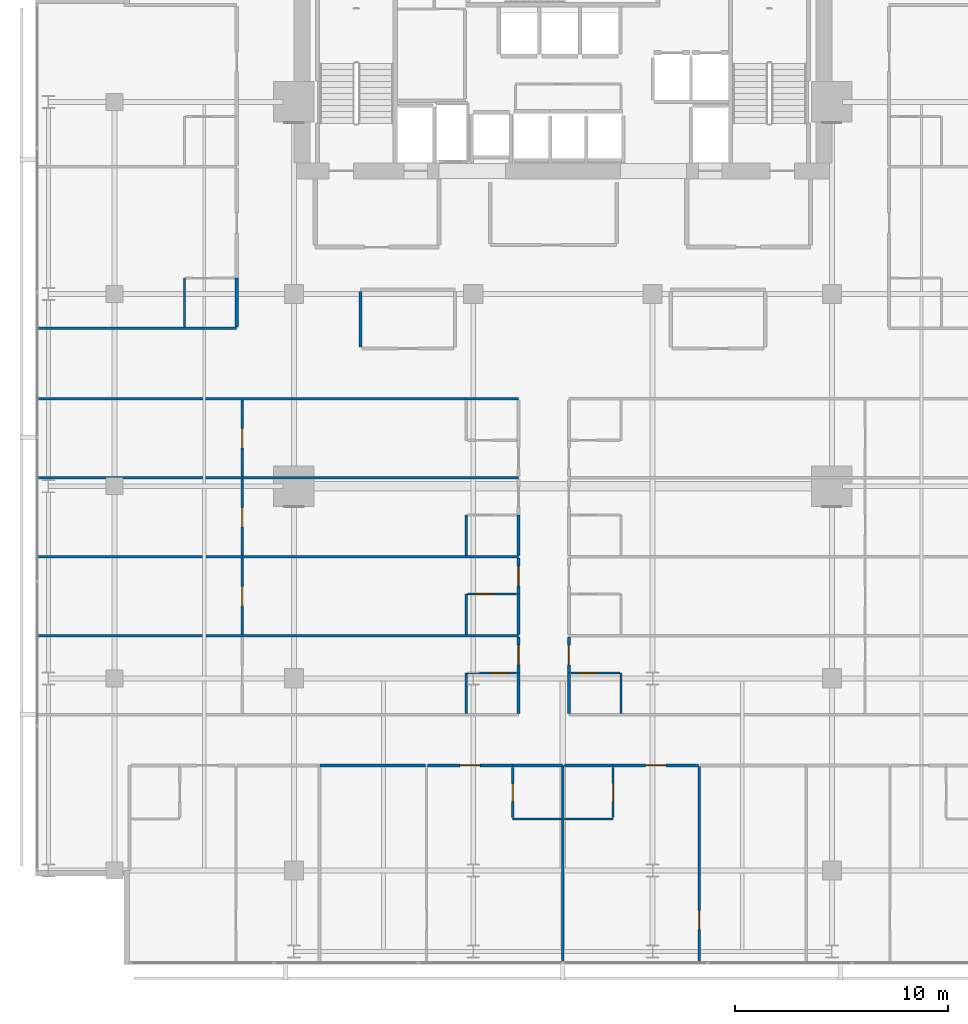
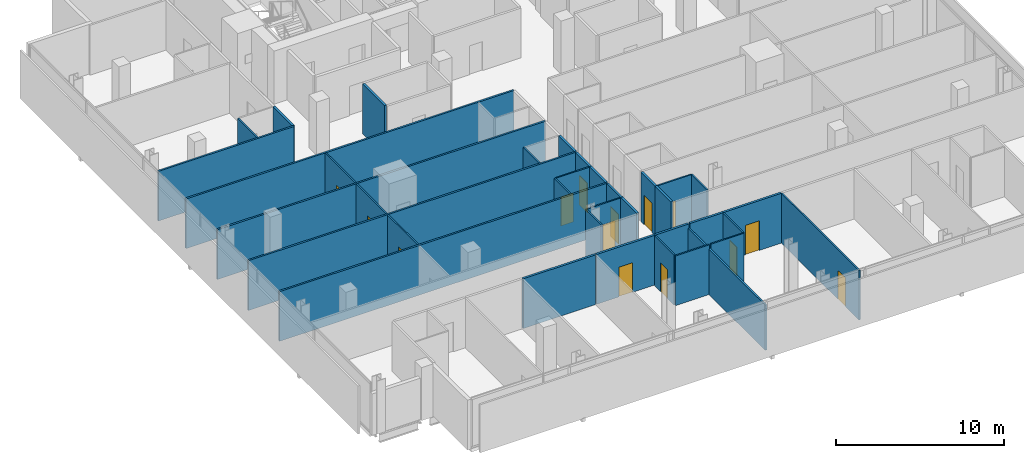
# One storey, part 27 of 34: 36 walls, 14 doors, 14 openings.
"""IFC4 building model written with IfcOpenShell, lengths in metres."""

from ifc_helpers import new_model, si_unit, direction, frame, frame_2d, origin, place, context, subcontext, project, spatial, rectangle, extrude, material, layer, layer_set, type_object, element, fill, save


model = new_model("IFC4")

# Units and contexts
model_context = context("Model", 3, precision=1e-05, world=origin(), true_north=direction((0.0, 1.0)))
body_context = subcontext(model_context, "Body", "Model", "MODEL_VIEW")
ifc_project = project(units=[si_unit("LENGTHUNIT", "METRE"), si_unit("AREAUNIT", "SQUARE_METRE"), si_unit("VOLUMEUNIT", "CUBIC_METRE"), si_unit("PLANEANGLEUNIT", "RADIAN"), si_unit("MASSUNIT", "GRAM", prefix="KILO")], contexts=[model_context])

# Site, building, storey
site_placement = place(None, origin())
site = spatial("IfcSite", under=ifc_project, at=site_placement, CompositionType="ELEMENT")
building_placement = place(site_placement, origin())
building = spatial("IfcBuilding", under=site, at=building_placement, Name="Maruvema Waterfront Hotel and Observation Tower", CompositionType="ELEMENT")
storey_placement = place(building_placement, frame((0.0, 0.0, 185.14990234375)))
storey = spatial("IfcBuildingStorey", under=building, at=storey_placement, Name="L45", CompositionType="ELEMENT", Elevation=185.14990234375)

# Walls
ifc_material_1 = material(Name="Twin-stud acoustic gypsum drywall", Category="gypsum")
ifc_layer_1 = layer(ifc_material_1, 0.14990234375, Name="Acoustic Corridor and Suite Demising Wall 150 mm")
ifc_layer_set_1 = layer_set([ifc_layer_1], Name="Twin-stud acoustic gypsum drywall")
wall_type_1 = type_object("IfcWallType", Name="Acoustic Corridor and Suite Demising Wall 150 mm", PredefinedType="PARTITIONING", material=ifc_layer_set_1)
wall_1_placement = place(storey_placement, frame((28.320068359375, 33.530029296875, 0.0), z_axis=(0.0, 0.0, 1.0), x_axis=(0.0, 1.0, 0.0)))
element("IfcWall", 1, at=wall_1_placement, inside=storey, type_object=wall_type_1, Name="L45 L45-M1 West Wall 022", PredefinedType="PARTITIONING", context=body_context, shape_type="SweptSolid", body=[
    extrude(rectangle(XDim=2.590087890625, YDim=0.14990234375, at=frame_2d((1.294921875, 0.0))), origin(), (0.0, 0.0, 1.0), 3.610107421875),
])
wall_2_placement = place(storey_placement, frame((35.449951171875, 13.919921875, 0.0), z_axis=(0.0, 0.0, 1.0), x_axis=(1.0, 0.0, 0.0)))
element("IfcWall", 2, at=wall_2_placement, inside=storey, type_object=wall_type_1, Name="L45 Bath L45-S2 Back Wall 038", PredefinedType="PARTITIONING", context=body_context, shape_type="SweptSolid", body=[
    extrude(rectangle(XDim=2.330078125, YDim=0.14990234375, at=frame_2d((1.1650390625, 0.0))), origin(), (0.0, 0.0, 1.0), 3.610107421875),
])
wall_3_placement = place(storey_placement, frame((26.419921875, 13.919921875, 0.0), z_axis=(0.0, 0.0, 1.0), x_axis=(1.0, 0.0, 0.0)))
element("IfcWall", 3, at=wall_3_placement, inside=storey, type_object=wall_type_1, Name="L45 Bedroom L45-S2 Back Wall 041", PredefinedType="PARTITIONING", context=body_context, shape_type="SweptSolid", body=[
    extrude(rectangle(XDim=4.9560546875, YDim=0.14990234375, at=frame_2d((2.47802734375, 0.0))), origin(), (0.0, 0.0, 1.0), 3.610107421875),
])

# Wall, opening, door
wall_4_placement = place(storey_placement, frame((31.4560546875, 13.919921875, 0.0), z_axis=(0.0, 0.0, 1.0), x_axis=(1.0, 0.0, 0.0)))
wall_4 = element("IfcWall", 4, at=wall_4_placement, inside=storey, type_object=wall_type_1, Name="L45 Unit L45-S2 Corridor Wall 042", PredefinedType="PARTITIONING", context=body_context, shape_type="SweptSolid", body=[
    extrude(rectangle(XDim=3.993896484375, YDim=0.14990234375, at=frame_2d((1.9970703125, 0.0))), origin(), (0.0, 0.0, 1.0), 3.610107421875),
])
opening_1_placement = place(wall_4_placement, frame((1.52197265625, 0.0, 0.0)))
opening_1 = element("IfcOpeningElement", 5, at=opening_1_placement, cuts=wall_4, Name="Opening DR-095", PredefinedType="OPENING", context=body_context, shape_type="SweptSolid", body=[
    extrude(rectangle(XDim=0.949951171875, YDim=2.14990234375, at=frame_2d((0.47509765625, 1.074951171875))), frame((0.0, 0.0849609375, 0.0), z_axis=(0.0, -1.0, 0.0), x_axis=(1.0, 0.0, 0.0)), (0.0, 0.0, 1.0), 0.169921875),
])
ifc_material_2 = material(Name="Acoustic solid-core hardwood timber leaf", Category="wood")
door_type_1 = type_object("IfcDoorType", Name="Guestroom Entrance Fire Door 950x2150 mm", OperationType="NOTDEFINED", PredefinedType="DOOR", material=ifc_material_2)
door_1_placement = place(opening_1_placement, frame((0.949951171875, 0.0, 0.0), z_axis=(0.0, 0.0, 1.0), x_axis=(-1.0, 0.0, 0.0)))
door_1 = element("IfcDoor", 6, at=door_1_placement, inside=storey, type_object=door_type_1, Name="L45 Unit L45-S2 Entrance Door", OperationType="SINGLE_SWING_LEFT", OverallHeight=2.14990234375, OverallWidth=0.949951171875, PredefinedType="DOOR", context=body_context, shape_type="SweptSolid", body=[
    extrude(rectangle(XDim=0.949951171875, YDim=2.14990234375, at=frame_2d((0.47509765625, 1.074951171875))), frame((0.0, 0.02490234375, 0.0), z_axis=(0.0, -1.0, 0.0), x_axis=(1.0, 0.0, 0.0)), (0.0, 0.0, 1.0), 0.050048828125),
])
fill(opening_1, door_1)

# Wall
wall_5_placement = place(storey_placement, frame((37.8798828125, 13.919921875, 0.0), z_axis=(0.0, 0.0, 1.0), x_axis=(1.0, 0.0, 0.0)))
element("IfcWall", 7, at=wall_5_placement, inside=storey, type_object=wall_type_1, Name="L45 Bath L45-S3 Back Wall 045", PredefinedType="PARTITIONING", context=body_context, shape_type="SweptSolid", body=[
    extrude(rectangle(XDim=2.27001953125, YDim=0.14990234375, at=frame_2d((1.135009765625, 0.0))), origin(), (0.0, 0.0, 1.0), 3.610107421875),
])

# Wall, opening, door
wall_6_placement = place(storey_placement, frame((40.14990234375, 13.919921875, 0.0), z_axis=(0.0, 0.0, 1.0), x_axis=(1.0, 0.0, 0.0)))
wall_6 = element("IfcWall", 8, at=wall_6_placement, inside=storey, type_object=wall_type_1, Name="L45 Unit L45-S3 Corridor Wall 048", PredefinedType="PARTITIONING", context=body_context, shape_type="SweptSolid", body=[
    extrude(rectangle(XDim=3.994140625, YDim=0.14990234375, at=frame_2d((1.9970703125, 0.0))), origin(), (0.0, 0.0, 1.0), 3.610107421875),
])
opening_2_placement = place(wall_6_placement, frame((1.52197265625, 0.0, 0.0)))
opening_2 = element("IfcOpeningElement", 9, at=opening_2_placement, cuts=wall_6, Name="Opening DR-095", PredefinedType="OPENING", context=body_context, shape_type="SweptSolid", body=[
    extrude(rectangle(XDim=0.949951171875, YDim=2.14990234375, at=frame_2d((0.47509765625, 1.074951171875))), frame((0.0, 0.0849609375, 0.0), z_axis=(0.0, -1.0, 0.0), x_axis=(1.0, 0.0, 0.0)), (0.0, 0.0, 1.0), 0.169921875),
])
door_2_placement = place(opening_2_placement, frame((0.949951171875, 0.0, 0.0), z_axis=(0.0, 0.0, 1.0), x_axis=(-1.0, 0.0, 0.0)))
door_2 = element("IfcDoor", 10, at=door_2_placement, inside=storey, type_object=door_type_1, Name="L45 Unit L45-S3 Entrance Door", OperationType="SINGLE_SWING_RIGHT", OverallHeight=2.14990234375, OverallWidth=0.949951171875, PredefinedType="DOOR", context=body_context, shape_type="SweptSolid", body=[
    extrude(rectangle(XDim=0.949951171875, YDim=2.14990234375, at=frame_2d((0.47509765625, 1.074951171875))), frame((0.0, 0.02490234375, 0.0), z_axis=(0.0, -1.0, 0.0), x_axis=(1.0, 0.0, 0.0)), (0.0, 0.0, 1.0), 0.050048828125),
])
fill(opening_2, door_2)

# Wall
wall_7_placement = place(storey_placement, frame((35.719970703125, 16.360107421875, 0.0), z_axis=(0.0, 0.0, 1.0), x_axis=(0.0, 1.0, 0.0)))
element("IfcWall", 11, at=wall_7_placement, inside=storey, type_object=wall_type_1, Name="L45 Bath L45-W1 Wall 062", PredefinedType="PARTITIONING", context=body_context, shape_type="SweptSolid", body=[
    extrude(rectangle(XDim=1.889892578125, YDim=0.14990234375, at=frame_2d((0.94482421875, 0.0))), origin(), (0.0, 0.0, 1.0), 3.610107421875),
])

# Wall, opening, door
wall_8_placement = place(storey_placement, frame((35.719970703125, 18.25, 0.0), z_axis=(0.0, 0.0, 1.0), x_axis=(0.0, 1.0, 0.0)))
wall_8 = element("IfcWall", 12, at=wall_8_placement, inside=storey, type_object=wall_type_1, Name="L45 Room L45-W1 Corridor Wall 063", PredefinedType="PARTITIONING", context=body_context, shape_type="SweptSolid", body=[
    extrude(rectangle(XDim=1.68994140625, YDim=0.14990234375, at=frame_2d((0.844970703125, 0.0))), origin(), (0.0, 0.0, 1.0), 3.610107421875),
])
opening_3_placement = place(wall_8_placement, frame((0.3701171875, 0.0, 0.0)))
opening_3 = element("IfcOpeningElement", 13, at=opening_3_placement, cuts=wall_8, Name="Opening DR-095", PredefinedType="OPENING", context=body_context, shape_type="SweptSolid", body=[
    extrude(rectangle(XDim=0.949951171875, YDim=2.14990234375, at=frame_2d((0.47509765625, 1.074951171875))), frame((0.0, 0.0849609375, 0.0), z_axis=(0.0, -1.0, 0.0), x_axis=(1.0, 0.0, 0.0)), (0.0, 0.0, 1.0), 0.169921875),
])
door_3_placement = place(opening_3_placement, origin())
door_3 = element("IfcDoor", 14, at=door_3_placement, inside=storey, type_object=door_type_1, Name="L45 Room L45-W1 Entrance Door", OperationType="SINGLE_SWING_RIGHT", OverallHeight=2.14990234375, OverallWidth=0.949951171875, PredefinedType="DOOR", context=body_context, shape_type="SweptSolid", body=[
    extrude(rectangle(XDim=0.949951171875, YDim=2.14990234375, at=frame_2d((0.47509765625, 1.074951171875))), frame((0.0, 0.02490234375, 0.0), z_axis=(0.0, -1.0, 0.0), x_axis=(1.0, 0.0, 0.0)), (0.0, 0.0, 1.0), 0.050048828125),
])
fill(opening_3, door_3)

# Wall
wall_9_placement = place(storey_placement, frame((38.080078125, 16.360107421875, 0.0), z_axis=(0.0, 0.0, 1.0), x_axis=(0.0, 1.0, 0.0)))
element("IfcWall", 15, at=wall_9_placement, inside=storey, type_object=wall_type_1, Name="L45 Bath L45-E1 Wall 067", PredefinedType="PARTITIONING", context=body_context, shape_type="SweptSolid", body=[
    extrude(rectangle(XDim=1.889892578125, YDim=0.14990234375, at=frame_2d((0.94482421875, 0.0))), origin(), (0.0, 0.0, 1.0), 3.610107421875),
])

# Wall, opening, door
wall_10_placement = place(storey_placement, frame((38.080078125, 18.25, 0.0), z_axis=(0.0, 0.0, 1.0), x_axis=(0.0, 1.0, 0.0)))
wall_10 = element("IfcWall", 16, at=wall_10_placement, inside=storey, type_object=wall_type_1, Name="L45 Room L45-E1 Corridor Wall 068", PredefinedType="PARTITIONING", context=body_context, shape_type="SweptSolid", body=[
    extrude(rectangle(XDim=1.68994140625, YDim=0.14990234375, at=frame_2d((0.844970703125, 0.0))), origin(), (0.0, 0.0, 1.0), 3.610107421875),
])
opening_4_placement = place(wall_10_placement, frame((0.3701171875, 0.0, 0.0)))
opening_4 = element("IfcOpeningElement", 17, at=opening_4_placement, cuts=wall_10, Name="Opening DR-095", PredefinedType="OPENING", context=body_context, shape_type="SweptSolid", body=[
    extrude(rectangle(XDim=0.949951171875, YDim=2.14990234375, at=frame_2d((0.47509765625, 1.074951171875))), frame((0.0, 0.0849609375, 0.0), z_axis=(0.0, -1.0, 0.0), x_axis=(1.0, 0.0, 0.0)), (0.0, 0.0, 1.0), 0.169921875),
])
door_4_placement = place(opening_4_placement, frame((0.949951171875, 0.0, 0.0), z_axis=(0.0, 0.0, 1.0), x_axis=(-1.0, 0.0, 0.0)))
door_4 = element("IfcDoor", 18, at=door_4_placement, inside=storey, type_object=door_type_1, Name="L45 Room L45-E1 Entrance Door", OperationType="SINGLE_SWING_LEFT", OverallHeight=2.14990234375, OverallWidth=0.949951171875, PredefinedType="DOOR", context=body_context, shape_type="SweptSolid", body=[
    extrude(rectangle(XDim=0.949951171875, YDim=2.14990234375, at=frame_2d((0.47509765625, 1.074951171875))), frame((0.0, 0.02490234375, 0.0), z_axis=(0.0, -1.0, 0.0), x_axis=(1.0, 0.0, 0.0)), (0.0, 0.0, 1.0), 0.050048828125),
])
fill(opening_4, door_4)

# Wall
wall_11_placement = place(storey_placement, frame((35.719970703125, 20.06005859375, 0.0), z_axis=(0.0, 0.0, 1.0), x_axis=(0.0, 1.0, 0.0)))
element("IfcWall", 19, at=wall_11_placement, inside=storey, type_object=wall_type_1, Name="L45 Bath L45-W2 Wall 074", PredefinedType="PARTITIONING", context=body_context, shape_type="SweptSolid", body=[
    extrude(rectangle(XDim=1.889892578125, YDim=0.14990234375, at=frame_2d((0.94482421875, 0.0))), origin(), (0.0, 0.0, 1.0), 3.610107421875),
])

# Wall, opening, door
wall_12_placement = place(storey_placement, frame((35.719970703125, 21.949951171875, 0.0), z_axis=(0.0, 0.0, 1.0), x_axis=(0.0, 1.0, 0.0)))
wall_12 = element("IfcWall", 20, at=wall_12_placement, inside=storey, type_object=wall_type_1, Name="L45 Room L45-W2 Corridor Wall 075", PredefinedType="PARTITIONING", context=body_context, shape_type="SweptSolid", body=[
    extrude(rectangle(XDim=1.68994140625, YDim=0.14990234375, at=frame_2d((0.844970703125, 0.0))), origin(), (0.0, 0.0, 1.0), 3.610107421875),
])
opening_5_placement = place(wall_12_placement, frame((0.3701171875, 0.0, 0.0)))
opening_5 = element("IfcOpeningElement", 21, at=opening_5_placement, cuts=wall_12, Name="Opening DR-095", PredefinedType="OPENING", context=body_context, shape_type="SweptSolid", body=[
    extrude(rectangle(XDim=0.949951171875, YDim=2.14990234375, at=frame_2d((0.47509765625, 1.074951171875))), frame((0.0, 0.0849609375, 0.0), z_axis=(0.0, -1.0, 0.0), x_axis=(1.0, 0.0, 0.0)), (0.0, 0.0, 1.0), 0.169921875),
])
door_5_placement = place(opening_5_placement, origin())
door_5 = element("IfcDoor", 22, at=door_5_placement, inside=storey, type_object=door_type_1, Name="L45 Room L45-W2 Entrance Door", OperationType="SINGLE_SWING_RIGHT", OverallHeight=2.14990234375, OverallWidth=0.949951171875, PredefinedType="DOOR", context=body_context, shape_type="SweptSolid", body=[
    extrude(rectangle(XDim=0.949951171875, YDim=2.14990234375, at=frame_2d((0.47509765625, 1.074951171875))), frame((0.0, 0.02490234375, 0.0), z_axis=(0.0, -1.0, 0.0), x_axis=(1.0, 0.0, 0.0)), (0.0, 0.0, 1.0), 0.050048828125),
])
fill(opening_5, door_5)

# Walls
wall_13_placement = place(storey_placement, frame((35.719970703125, 23.760009765625, 0.0), z_axis=(0.0, 0.0, 1.0), x_axis=(0.0, 1.0, 0.0)))
element("IfcWall", 23, at=wall_13_placement, inside=storey, type_object=wall_type_1, Name="L45 Bath L45-W3 Wall 086", PredefinedType="PARTITIONING", context=body_context, shape_type="SweptSolid", body=[
    extrude(rectangle(XDim=1.889892578125, YDim=0.14990234375, at=frame_2d((0.94482421875, 0.0))), origin(), (0.0, 0.0, 1.0), 3.610107421875),
])
wall_14_placement = place(storey_placement, frame((22.52001953125, 34.4599609375, 0.0), z_axis=(0.0, 0.0, 1.0), x_axis=(0.0, 1.0, 0.0)))
element("IfcWall", 24, at=wall_14_placement, inside=storey, type_object=wall_type_1, Name="L45 Bath L45-NW1 Wall 112", PredefinedType="PARTITIONING", context=body_context, shape_type="SweptSolid", body=[
    extrude(rectangle(XDim=2.2900390625, YDim=0.14990234375, at=frame_2d((1.14501953125, 0.0))), origin(), (0.0, 0.0, 1.0), 3.610107421875),
])
ifc_material_3 = material(Name="Moisture-resistant cement-board drywall", Category="gypsum")
ifc_layer_2 = layer(ifc_material_3, 0.10009765625, Name="En-Suite Moisture-Resistant Partition 100 mm")
ifc_layer_set_2 = layer_set([ifc_layer_2], Name="Moisture-resistant cement-board drywall")
wall_type_2 = type_object("IfcWallType", Name="En-Suite Moisture-Resistant Partition 100 mm", PredefinedType="PARTITIONING", material=ifc_layer_set_2)
wall_15_placement = place(storey_placement, frame((35.449951171875, 11.419921875, 0.0), z_axis=(0.0, 0.0, 1.0), x_axis=(1.0, 0.0, 0.0)))
element("IfcWall", 25, at=wall_15_placement, inside=storey, type_object=wall_type_2, Name="L45 En-Suite L45-S2 South 039", PredefinedType="PARTITIONING", context=body_context, shape_type="SweptSolid", body=[
    extrude(rectangle(XDim=2.31005859375, YDim=0.10009765625, at=frame_2d((1.155029296875, 0.0))), origin(), (0.0, 0.0, 1.0), 3.610107421875),
])

# Wall, opening, door
wall_16_placement = place(storey_placement, frame((35.449951171875, 11.47998046875, 0.0), z_axis=(0.0, 0.0, 1.0), x_axis=(0.0, 1.0, 0.0)))
wall_16 = element("IfcWall", 26, at=wall_16_placement, inside=storey, type_object=wall_type_2, Name="L45 En-Suite L45-S2 West 040", PredefinedType="PARTITIONING", context=body_context, shape_type="SweptSolid", body=[
    extrude(rectangle(XDim=2.340087890625, YDim=0.10009765625, at=frame_2d((1.169921875, 0.0))), origin(), (0.0, 0.0, 1.0), 3.610107421875),
])
opening_6_placement = place(wall_16_placement, frame((0.7451171875, 0.0, 0.0)))
opening_6 = element("IfcOpeningElement", 27, at=opening_6_placement, cuts=wall_16, Name="Opening DR-085", PredefinedType="OPENING", context=body_context, shape_type="SweptSolid", body=[
    extrude(rectangle(XDim=0.85009765625, YDim=2.10009765625, at=frame_2d((0.425048828125, 1.050048828125))), frame((0.0, 0.06005859375, 0.0), z_axis=(0.0, -1.0, 0.0), x_axis=(1.0, 0.0, 0.0)), (0.0, 0.0, 1.0), 0.1201171875),
])
ifc_material_4 = material(Name="Moisture-resistant solid timber leaf", Category="wood")
door_type_2 = type_object("IfcDoorType", Name="En-Suite Bathroom Door 850x2100 mm", OperationType="NOTDEFINED", PredefinedType="DOOR", material=ifc_material_4)
door_6_placement = place(opening_6_placement, origin())
door_6 = element("IfcDoor", 28, at=door_6_placement, inside=storey, type_object=door_type_2, Name="L45 En-Suite L45-S2 Door", OperationType="SINGLE_SWING_RIGHT", OverallHeight=2.10009765625, OverallWidth=0.85009765625, PredefinedType="DOOR", context=body_context, shape_type="SweptSolid", body=[
    extrude(rectangle(XDim=0.85009765625, YDim=2.10009765625, at=frame_2d((0.425048828125, 1.050048828125))), frame((0.0, 0.02490234375, 0.0), z_axis=(0.0, -1.0, 0.0), x_axis=(1.0, 0.0, 0.0)), (0.0, 0.0, 1.0), 0.050048828125),
])
fill(opening_6, door_6)

# Wall
wall_17_placement = place(storey_placement, frame((37.8798828125, 11.419921875, 0.0), z_axis=(0.0, 0.0, 1.0), x_axis=(1.0, 0.0, 0.0)))
element("IfcWall", 29, at=wall_17_placement, inside=storey, type_object=wall_type_2, Name="L45 En-Suite L45-S3 South 046", PredefinedType="PARTITIONING", context=body_context, shape_type="SweptSolid", body=[
    extrude(rectangle(XDim=2.27001953125, YDim=0.10009765625, at=frame_2d((1.135009765625, 0.0))), origin(), (0.0, 0.0, 1.0), 3.610107421875),
])

# Wall, opening, door
wall_18_placement = place(storey_placement, frame((40.14990234375, 11.47998046875, 0.0), z_axis=(0.0, 0.0, 1.0), x_axis=(0.0, 1.0, 0.0)))
wall_18 = element("IfcWall", 30, at=wall_18_placement, inside=storey, type_object=wall_type_2, Name="L45 En-Suite L45-S3 East 047", PredefinedType="PARTITIONING", context=body_context, shape_type="SweptSolid", body=[
    extrude(rectangle(XDim=2.340087890625, YDim=0.10009765625, at=frame_2d((1.169921875, 0.0))), origin(), (0.0, 0.0, 1.0), 3.610107421875),
])
opening_7_placement = place(wall_18_placement, frame((0.7451171875, 0.0, 0.0)))
opening_7 = element("IfcOpeningElement", 31, at=opening_7_placement, cuts=wall_18, Name="Opening DR-085", PredefinedType="OPENING", context=body_context, shape_type="SweptSolid", body=[
    extrude(rectangle(XDim=0.85009765625, YDim=2.10009765625, at=frame_2d((0.425048828125, 1.050048828125))), frame((0.0, 0.06005859375, 0.0), z_axis=(0.0, -1.0, 0.0), x_axis=(1.0, 0.0, 0.0)), (0.0, 0.0, 1.0), 0.1201171875),
])
door_7_placement = place(opening_7_placement, frame((0.85009765625, 0.0, 0.0), z_axis=(0.0, 0.0, 1.0), x_axis=(-1.0, 0.0, 0.0)))
door_7 = element("IfcDoor", 32, at=door_7_placement, inside=storey, type_object=door_type_2, Name="L45 En-Suite L45-S3 Door", OperationType="SINGLE_SWING_LEFT", OverallHeight=2.10009765625, OverallWidth=0.85009765625, PredefinedType="DOOR", context=body_context, shape_type="SweptSolid", body=[
    extrude(rectangle(XDim=0.85009765625, YDim=2.10009765625, at=frame_2d((0.425048828125, 1.050048828125))), frame((0.0, 0.02490234375, 0.0), z_axis=(0.0, -1.0, 0.0), x_axis=(1.0, 0.0, 0.0)), (0.0, 0.0, 1.0), 0.050048828125),
])
fill(opening_7, door_7)

wall_19_placement = place(storey_placement, frame((44.18408203125, 4.6298828125, 0.0), z_axis=(0.0, 0.0, 1.0), x_axis=(0.0, 1.0, 0.0)))
wall_19 = element("IfcWall", 33, at=wall_19_placement, inside=storey, type_object=wall_type_2, Name="L45 Suite L45-S3 Split 050", PredefinedType="PARTITIONING", context=body_context, shape_type="SweptSolid", body=[
    extrude(rectangle(XDim=9.230224609375, YDim=0.10009765625, at=frame_2d((4.615234375, 0.0))), origin(), (0.0, 0.0, 1.0), 3.610107421875),
])
opening_8_placement = place(wall_19_placement, frame((1.60009765625, 0.0, 0.0)))
opening_8 = element("IfcOpeningElement", 34, at=opening_8_placement, cuts=wall_19, Name="Opening DR-090", PredefinedType="OPENING", context=body_context, shape_type="SweptSolid", body=[
    extrude(rectangle(XDim=0.89990234375, YDim=2.10009765625, at=frame_2d((0.449951171875, 1.050048828125))), frame((0.0, 0.06005859375, 0.0), z_axis=(0.0, -1.0, 0.0), x_axis=(1.0, 0.0, 0.0)), (0.0, 0.0, 1.0), 0.1201171875),
])
ifc_material_5 = material(Name="Solid-core lacquered timber leaf", Category="wood")
door_type_3 = type_object("IfcDoorType", Name="Accessible Toilet and Room Door 900x2100 mm", OperationType="NOTDEFINED", PredefinedType="DOOR", material=ifc_material_5)
door_8_placement = place(opening_8_placement, origin())
door_8 = element("IfcDoor", 35, at=door_8_placement, inside=storey, type_object=door_type_3, Name="L45 Suite L45-S3 Bedroom Door", OperationType="SINGLE_SWING_LEFT", OverallHeight=2.10009765625, OverallWidth=0.89990234375, PredefinedType="DOOR", context=body_context, shape_type="SweptSolid", body=[
    extrude(rectangle(XDim=0.89990234375, YDim=2.10009765625, at=frame_2d((0.449951171875, 1.050048828125))), frame((0.0, 0.02490234375, 0.0), z_axis=(0.0, -1.0, 0.0), x_axis=(1.0, 0.0, 0.0)), (0.0, 0.0, 1.0), 0.050048828125),
])
fill(opening_8, door_8)

# Wall
wall_20_placement = place(storey_placement, frame((33.27001953125, 16.360107421875, 0.0), z_axis=(0.0, 0.0, 1.0), x_axis=(0.0, 1.0, 0.0)))
element("IfcWall", 36, at=wall_20_placement, inside=storey, type_object=wall_type_2, Name="L45 En-Suite L45-W1 W 064", PredefinedType="PARTITIONING", context=body_context, shape_type="SweptSolid", body=[
    extrude(rectangle(XDim=1.889892578125, YDim=0.10009765625, at=frame_2d((0.94482421875, 0.0))), origin(), (0.0, 0.0, 1.0), 3.610107421875),
])

# Wall, opening, door
wall_21_placement = place(storey_placement, frame((33.320068359375, 18.25, 0.0), z_axis=(0.0, 0.0, 1.0), x_axis=(1.0, 0.0, 0.0)))
wall_21 = element("IfcWall", 37, at=wall_21_placement, inside=storey, type_object=wall_type_2, Name="L45 En-Suite L45-W1 N 065", PredefinedType="PARTITIONING", context=body_context, shape_type="SweptSolid", body=[
    extrude(rectangle(XDim=2.300048828125, YDim=0.10009765625, at=frame_2d((1.14990234375, 0.0))), origin(), (0.0, 0.0, 1.0), 3.610107421875),
])
opening_9_placement = place(wall_21_placement, frame((1.070068359375, 0.0, 0.0)))
opening_9 = element("IfcOpeningElement", 38, at=opening_9_placement, cuts=wall_21, Name="Opening DR-085", PredefinedType="OPENING", context=body_context, shape_type="SweptSolid", body=[
    extrude(rectangle(XDim=0.85009765625, YDim=2.10009765625, at=frame_2d((0.425048828125, 1.050048828125))), frame((0.0, 0.06005859375, 0.0), z_axis=(0.0, -1.0, 0.0), x_axis=(1.0, 0.0, 0.0)), (0.0, 0.0, 1.0), 0.1201171875),
])
door_9_placement = place(opening_9_placement, origin())
door_9 = element("IfcDoor", 39, at=door_9_placement, inside=storey, type_object=door_type_2, Name="L45 En-Suite L45-W1 Door", OperationType="SINGLE_SWING_LEFT", OverallHeight=2.10009765625, OverallWidth=0.85009765625, PredefinedType="DOOR", context=body_context, shape_type="SweptSolid", body=[
    extrude(rectangle(XDim=0.85009765625, YDim=2.10009765625, at=frame_2d((0.425048828125, 1.050048828125))), frame((0.0, 0.02490234375, 0.0), z_axis=(0.0, -1.0, 0.0), x_axis=(1.0, 0.0, 0.0)), (0.0, 0.0, 1.0), 0.050048828125),
])
fill(opening_9, door_9)

# Wall
wall_22_placement = place(storey_placement, frame((40.530029296875, 16.360107421875, 0.0), z_axis=(0.0, 0.0, 1.0), x_axis=(0.0, 1.0, 0.0)))
element("IfcWall", 40, at=wall_22_placement, inside=storey, type_object=wall_type_2, Name="L45 En-Suite L45-E1 E 069", PredefinedType="PARTITIONING", context=body_context, shape_type="SweptSolid", body=[
    extrude(rectangle(XDim=1.889892578125, YDim=0.10009765625, at=frame_2d((0.94482421875, 0.0))), origin(), (0.0, 0.0, 1.0), 3.610107421875),
])

# Wall, opening, door
wall_23_placement = place(storey_placement, frame((38.179931640625, 18.25, 0.0), z_axis=(0.0, 0.0, 1.0), x_axis=(1.0, 0.0, 0.0)))
wall_23 = element("IfcWall", 41, at=wall_23_placement, inside=storey, type_object=wall_type_2, Name="L45 En-Suite L45-E1 N 070", PredefinedType="PARTITIONING", context=body_context, shape_type="SweptSolid", body=[
    extrude(rectangle(XDim=2.300048828125, YDim=0.10009765625, at=frame_2d((1.14990234375, 0.0))), origin(), (0.0, 0.0, 1.0), 3.610107421875),
])
opening_10_placement = place(wall_23_placement, frame((0.35009765625, 0.0, 0.0)))
opening_10 = element("IfcOpeningElement", 42, at=opening_10_placement, cuts=wall_23, Name="Opening DR-085", PredefinedType="OPENING", context=body_context, shape_type="SweptSolid", body=[
    extrude(rectangle(XDim=0.85009765625, YDim=2.10009765625, at=frame_2d((0.425048828125, 1.050048828125))), frame((0.0, 0.06005859375, 0.0), z_axis=(0.0, -1.0, 0.0), x_axis=(1.0, 0.0, 0.0)), (0.0, 0.0, 1.0), 0.1201171875),
])
door_10_placement = place(opening_10_placement, origin())
door_10 = element("IfcDoor", 43, at=door_10_placement, inside=storey, type_object=door_type_2, Name="L45 En-Suite L45-E1 Door", OperationType="SINGLE_SWING_RIGHT", OverallHeight=2.10009765625, OverallWidth=0.85009765625, PredefinedType="DOOR", context=body_context, shape_type="SweptSolid", body=[
    extrude(rectangle(XDim=0.85009765625, YDim=2.10009765625, at=frame_2d((0.425048828125, 1.050048828125))), frame((0.0, 0.02490234375, 0.0), z_axis=(0.0, -1.0, 0.0), x_axis=(1.0, 0.0, 0.0)), (0.0, 0.0, 1.0), 0.050048828125),
])
fill(opening_10, door_10)

# Wall
wall_24_placement = place(storey_placement, frame((33.27001953125, 20.06005859375, 0.0), z_axis=(0.0, 0.0, 1.0), x_axis=(0.0, 1.0, 0.0)))
element("IfcWall", 44, at=wall_24_placement, inside=storey, type_object=wall_type_2, Name="L45 En-Suite L45-W2 W 076", PredefinedType="PARTITIONING", context=body_context, shape_type="SweptSolid", body=[
    extrude(rectangle(XDim=1.889892578125, YDim=0.10009765625, at=frame_2d((0.94482421875, 0.0))), origin(), (0.0, 0.0, 1.0), 3.610107421875),
])

# Wall, opening, door
wall_25_placement = place(storey_placement, frame((33.320068359375, 21.949951171875, 0.0), z_axis=(0.0, 0.0, 1.0), x_axis=(1.0, 0.0, 0.0)))
wall_25 = element("IfcWall", 45, at=wall_25_placement, inside=storey, type_object=wall_type_2, Name="L45 En-Suite L45-W2 N 077", PredefinedType="PARTITIONING", context=body_context, shape_type="SweptSolid", body=[
    extrude(rectangle(XDim=2.300048828125, YDim=0.10009765625, at=frame_2d((1.14990234375, 0.0))), origin(), (0.0, 0.0, 1.0), 3.610107421875),
])
opening_11_placement = place(wall_25_placement, frame((0.35009765625, 0.0, 0.0)))
opening_11 = element("IfcOpeningElement", 46, at=opening_11_placement, cuts=wall_25, Name="Opening DR-085", PredefinedType="OPENING", context=body_context, shape_type="SweptSolid", body=[
    extrude(rectangle(XDim=0.85009765625, YDim=2.10009765625, at=frame_2d((0.425048828125, 1.050048828125))), frame((0.0, 0.06005859375, 0.0), z_axis=(0.0, -1.0, 0.0), x_axis=(1.0, 0.0, 0.0)), (0.0, 0.0, 1.0), 0.1201171875),
])
door_11_placement = place(opening_11_placement, origin())
door_11 = element("IfcDoor", 47, at=door_11_placement, inside=storey, type_object=door_type_2, Name="L45 En-Suite L45-W2 Door", OperationType="SINGLE_SWING_LEFT", OverallHeight=2.10009765625, OverallWidth=0.85009765625, PredefinedType="DOOR", context=body_context, shape_type="SweptSolid", body=[
    extrude(rectangle(XDim=0.85009765625, YDim=2.10009765625, at=frame_2d((0.425048828125, 1.050048828125))), frame((0.0, 0.02490234375, 0.0), z_axis=(0.0, -1.0, 0.0), x_axis=(1.0, 0.0, 0.0)), (0.0, 0.0, 1.0), 0.050048828125),
])
fill(opening_11, door_11)

wall_26_placement = place(storey_placement, frame((22.781494140625, 20.06005859375, 0.0), z_axis=(0.0, 0.0, 1.0), x_axis=(0.0, 1.0, 0.0)))
wall_26 = element("IfcWall", 48, at=wall_26_placement, inside=storey, type_object=wall_type_2, Name="L45 Suite L45-W2 Split 078", PredefinedType="PARTITIONING", context=body_context, shape_type="SweptSolid", body=[
    extrude(rectangle(XDim=3.579833984375, YDim=0.10009765625, at=frame_2d((1.7900390625, 0.0))), origin(), (0.0, 0.0, 1.0), 3.610107421875),
])
opening_12_placement = place(wall_26_placement, frame((1.340087890625, 0.0, 0.0)))
opening_12 = element("IfcOpeningElement", 49, at=opening_12_placement, cuts=wall_26, Name="Opening DR-090", PredefinedType="OPENING", context=body_context, shape_type="SweptSolid", body=[
    extrude(rectangle(XDim=0.89990234375, YDim=2.10009765625, at=frame_2d((0.449951171875, 1.050048828125))), frame((0.0, 0.06005859375, 0.0), z_axis=(0.0, -1.0, 0.0), x_axis=(1.0, 0.0, 0.0)), (0.0, 0.0, 1.0), 0.1201171875),
])
door_12_placement = place(opening_12_placement, origin())
door_12 = element("IfcDoor", 50, at=door_12_placement, inside=storey, type_object=door_type_3, Name="L45 Suite L45-W2 Bedroom Door", OperationType="SINGLE_SWING_LEFT", OverallHeight=2.10009765625, OverallWidth=0.89990234375, PredefinedType="DOOR", context=body_context, shape_type="SweptSolid", body=[
    extrude(rectangle(XDim=0.89990234375, YDim=2.10009765625, at=frame_2d((0.449951171875, 1.050048828125))), frame((0.0, 0.02490234375, 0.0), z_axis=(0.0, -1.0, 0.0), x_axis=(1.0, 0.0, 0.0)), (0.0, 0.0, 1.0), 0.050048828125),
])
fill(opening_12, door_12)

# Wall
wall_27_placement = place(storey_placement, frame((33.27001953125, 23.760009765625, 0.0), z_axis=(0.0, 0.0, 1.0), x_axis=(0.0, 1.0, 0.0)))
element("IfcWall", 51, at=wall_27_placement, inside=storey, type_object=wall_type_2, Name="L45 En-Suite L45-W3 W 088", PredefinedType="PARTITIONING", context=body_context, shape_type="SweptSolid", body=[
    extrude(rectangle(XDim=1.889892578125, YDim=0.10009765625, at=frame_2d((0.94482421875, 0.0))), origin(), (0.0, 0.0, 1.0), 3.610107421875),
])

# Wall, opening, door
wall_28_placement = place(storey_placement, frame((22.781494140625, 23.760009765625, 0.0), z_axis=(0.0, 0.0, 1.0), x_axis=(0.0, 1.0, 0.0)))
wall_28 = element("IfcWall", 52, at=wall_28_placement, inside=storey, type_object=wall_type_2, Name="L45 Suite L45-W3 Split 090", PredefinedType="PARTITIONING", context=body_context, shape_type="SweptSolid", body=[
    extrude(rectangle(XDim=3.580078125, YDim=0.10009765625, at=frame_2d((1.7900390625, 0.0))), origin(), (0.0, 0.0, 1.0), 3.610107421875),
])
opening_13_placement = place(wall_28_placement, frame((1.340087890625, 0.0, 0.0)))
opening_13 = element("IfcOpeningElement", 53, at=opening_13_placement, cuts=wall_28, Name="Opening DR-090", PredefinedType="OPENING", context=body_context, shape_type="SweptSolid", body=[
    extrude(rectangle(XDim=0.89990234375, YDim=2.10009765625, at=frame_2d((0.449951171875, 1.050048828125))), frame((0.0, 0.06005859375, 0.0), z_axis=(0.0, -1.0, 0.0), x_axis=(1.0, 0.0, 0.0)), (0.0, 0.0, 1.0), 0.1201171875),
])
door_13_placement = place(opening_13_placement, origin())
door_13 = element("IfcDoor", 54, at=door_13_placement, inside=storey, type_object=door_type_3, Name="L45 Suite L45-W3 Bedroom Door", OperationType="SINGLE_SWING_LEFT", OverallHeight=2.10009765625, OverallWidth=0.89990234375, PredefinedType="DOOR", context=body_context, shape_type="SweptSolid", body=[
    extrude(rectangle(XDim=0.89990234375, YDim=2.10009765625, at=frame_2d((0.449951171875, 1.050048828125))), frame((0.0, 0.02490234375, 0.0), z_axis=(0.0, -1.0, 0.0), x_axis=(1.0, 0.0, 0.0)), (0.0, 0.0, 1.0), 0.050048828125),
])
fill(opening_13, door_13)

wall_29_placement = place(storey_placement, frame((22.781494140625, 27.4599609375, 0.0), z_axis=(0.0, 0.0, 1.0), x_axis=(0.0, 1.0, 0.0)))
wall_29 = element("IfcWall", 55, at=wall_29_placement, inside=storey, type_object=wall_type_2, Name="L45 Suite L45-W4 Split 102", PredefinedType="PARTITIONING", context=body_context, shape_type="SweptSolid", body=[
    extrude(rectangle(XDim=3.580078125, YDim=0.10009765625, at=frame_2d((1.7900390625, 0.0))), origin(), (0.0, 0.0, 1.0), 3.610107421875),
])
opening_14_placement = place(wall_29_placement, frame((1.340087890625, 0.0, 0.0)))
opening_14 = element("IfcOpeningElement", 56, at=opening_14_placement, cuts=wall_29, Name="Opening DR-090", PredefinedType="OPENING", context=body_context, shape_type="SweptSolid", body=[
    extrude(rectangle(XDim=0.89990234375, YDim=2.10009765625, at=frame_2d((0.449951171875, 1.050048828125))), frame((0.0, 0.06005859375, 0.0), z_axis=(0.0, -1.0, 0.0), x_axis=(1.0, 0.0, 0.0)), (0.0, 0.0, 1.0), 0.1201171875),
])
door_14_placement = place(opening_14_placement, origin())
door_14 = element("IfcDoor", 57, at=door_14_placement, inside=storey, type_object=door_type_3, Name="L45 Suite L45-W4 Bedroom Door", OperationType="SINGLE_SWING_LEFT", OverallHeight=2.10009765625, OverallWidth=0.89990234375, PredefinedType="DOOR", context=body_context, shape_type="SweptSolid", body=[
    extrude(rectangle(XDim=0.89990234375, YDim=2.10009765625, at=frame_2d((0.449951171875, 1.050048828125))), frame((0.0, 0.02490234375, 0.0), z_axis=(0.0, -1.0, 0.0), x_axis=(1.0, 0.0, 0.0)), (0.0, 0.0, 1.0), 0.050048828125),
])
fill(opening_14, door_14)

# Walls
wall_30_placement = place(storey_placement, frame((20.070068359375, 34.4599609375, 0.0), z_axis=(0.0, 0.0, 1.0), x_axis=(0.0, 1.0, 0.0)))
element("IfcWall", 58, at=wall_30_placement, inside=storey, type_object=wall_type_2, Name="L45 En-Suite L45-NW1 W 114", PredefinedType="PARTITIONING", context=body_context, shape_type="SweptSolid", body=[
    extrude(rectangle(XDim=2.2900390625, YDim=0.10009765625, at=frame_2d((1.14501953125, 0.0))), origin(), (0.0, 0.0, 1.0), 3.610107421875),
])
ifc_material_6 = material(Name="Acoustic gypsum plasterboard drywall", Category="gypsum")
ifc_layer_3 = layer(ifc_material_6, 0.125, Name="Guestroom Acoustic Demising Wall 125 mm")
ifc_layer_set_3 = layer_set([ifc_layer_3], Name="Acoustic gypsum plasterboard drywall")
wall_type_3 = type_object("IfcWallType", Name="Guestroom Acoustic Demising Wall 125 mm", PredefinedType="PARTITIONING", material=ifc_layer_set_3)
wall_31_placement = place(storey_placement, frame((37.800048828125, 4.699951171875, 0.0), z_axis=(0.0, 0.0, 1.0), x_axis=(0.0, 1.0, 0.0)))
element("IfcWall", 59, at=wall_31_placement, inside=storey, type_object=wall_type_3, Name="L45 Z2 S Demising 3 044", PredefinedType="PARTITIONING", context=body_context, shape_type="SweptSolid", body=[
    extrude(rectangle(XDim=9.219970703125, YDim=0.125, at=frame_2d((4.60986328125, 0.0))), origin(), (0.0, 0.0, 1.0), 3.293212890625),
])
for number, where, z_axis, x_axis, name in (
    (60, (13.199951171875, 31.10009765625, 0.0), (0.0, 0.0, 1.0), (1.0, 0.0, 0.0), "L45 Z2 W Top End 060"),
    (61, (13.199951171875, 20.0, 0.0), (0.0, 0.0, 1.0), (1.0, 0.0, 0.0), "L45 Z2 W Demising 2 072"),
    (62, (13.199951171875, 23.699951171875, 0.0), (0.0, 0.0, 1.0), (1.0, 0.0, 0.0), "L45 Z2 W Demising 3 084"),
    (63, (13.199951171875, 27.39990234375, 0.0), (0.0, 0.0, 1.0), (1.0, 0.0, 0.0), "L45 Z2 W Demising 4 096"),
):
    element("IfcWall", number, at=place(storey_placement, frame(where, z_axis=z_axis, x_axis=x_axis)), inside=storey, type_object=wall_type_3, Name=name, PredefinedType="PARTITIONING", context=body_context, shape_type="SweptSolid", body=[
        extrude(rectangle(XDim=22.52001953125, YDim=0.125, at=frame_2d((11.260009765625, 0.0))), origin(), (0.0, 0.0, 1.0), 3.610107421875),
    ])
wall_32_placement = place(storey_placement, frame((13.199951171875, 34.39990234375, 0.0), z_axis=(0.0, 0.0, 1.0), x_axis=(1.0, 0.0, 0.0)))
element("IfcWall", 64, at=wall_32_placement, inside=storey, type_object=wall_type_3, Name="L45 Z2 NW Bot End 108", PredefinedType="PARTITIONING", context=body_context, shape_type="SweptSolid", body=[
    extrude(rectangle(XDim=9.320068359375, YDim=0.125, at=frame_2d((4.66015625, 0.0))), origin(), (0.0, 0.0, 1.0), 3.610107421875),
])

save(model, "model.ifc")
